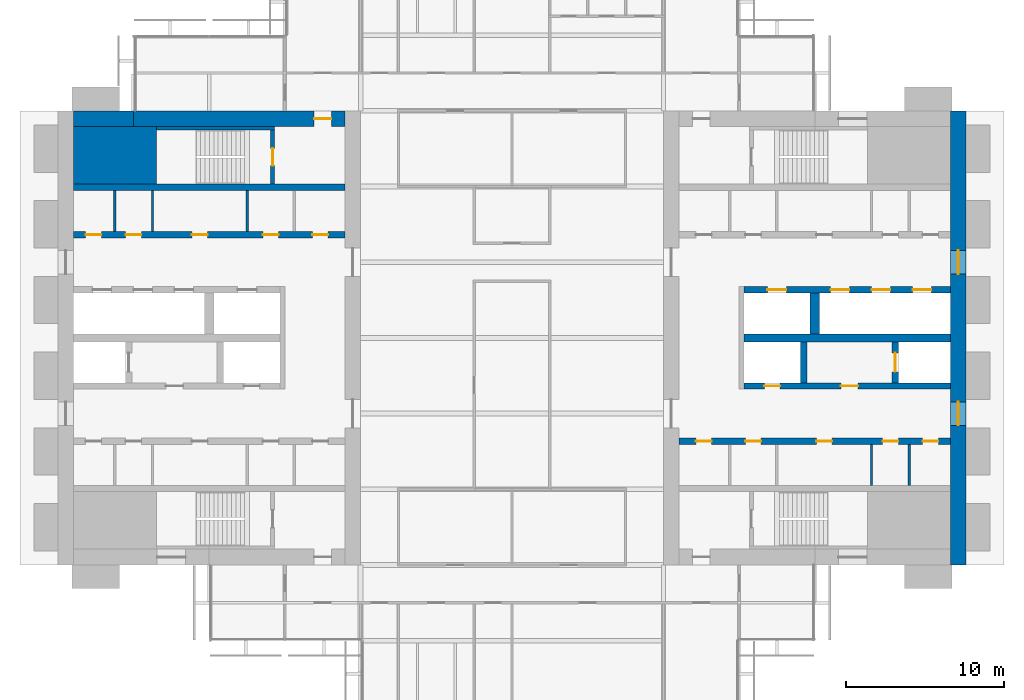
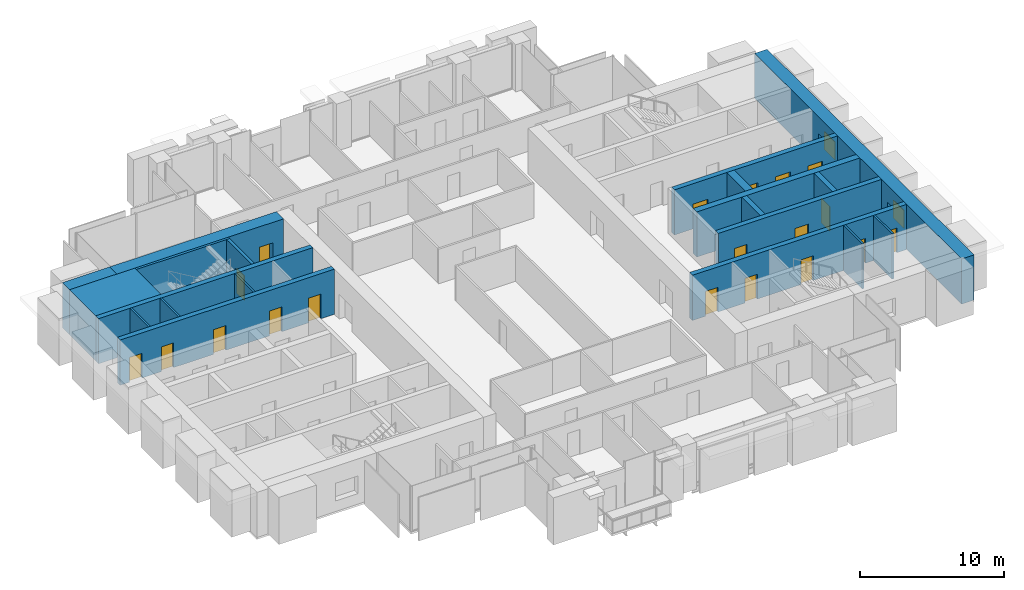
# One storey, part 11 of 15: 20 walls, 19 doors, 2 windows, 21 openings.
"""IFC4 building model written with IfcOpenShell, lengths in metres."""

from ifc_helpers import new_model, si_unit, direction, frame, frame_2d, origin, place, context, subcontext, project, spatial, rectangle, extrude, material, layer, layer_set, type_object, element, fill, save


model = new_model("IFC4")

# Units and contexts
model_context = context("Model", 3, precision=1e-05, world=origin(), true_north=direction((0.0, 1.0)))
body_context = subcontext(model_context, "Body", "Model", "MODEL_VIEW")
ifc_project = project(units=[si_unit("LENGTHUNIT", "METRE"), si_unit("AREAUNIT", "SQUARE_METRE"), si_unit("VOLUMEUNIT", "CUBIC_METRE"), si_unit("PLANEANGLEUNIT", "RADIAN"), si_unit("MASSUNIT", "GRAM", prefix="KILO")], contexts=[model_context])

# Site, building, storey
site_placement = place(None, origin())
site = spatial("IfcSite", under=ifc_project, at=site_placement, CompositionType="ELEMENT")
building_placement = place(site_placement, origin())
building = spatial("IfcBuilding", under=site, at=building_placement, Name="Baori Bourse Tower", CompositionType="ELEMENT")
storey_placement = place(building_placement, frame((0.0, 0.0, 152.10009765625)))
storey = spatial("IfcBuildingStorey", under=building, at=storey_placement, Name="L33", CompositionType="ELEMENT", Elevation=152.10009765625)

# Walls
ifc_material_1 = material(Name="Concrete f'c 60 MPa", Category="concrete")
wall_type_1 = type_object("IfcWallType", Name="Core corner block f'c 60", PredefinedType="SHEAR", material=ifc_material_1)
wall_1_placement = place(storey_placement, frame((1.0, 35.574951171875, 0.0), z_axis=(0.0, 0.0, 1.0), x_axis=(1.0, 0.0, 0.0)))
element("IfcWall", 1, at=wall_1_placement, inside=storey, type_object=wall_type_1, Name="Core wall W28", PredefinedType="SHEAR", context=body_context, shape_type="SweptSolid", body=[
    extrude(rectangle(XDim=5.25, YDim=3.64990234375, at=frame_2d((2.625, 0.0))), origin(), (0.0, 0.0, 1.0), 3.83984375),
])
ifc_material_2 = material(Name="Blockwork partition", Category="masonry")
ifc_layer_1 = layer(ifc_material_2, 0.14990234375)
ifc_layer_set_1 = layer_set([ifc_layer_1], Name="Core partition 150")
wall_type_2 = type_object("IfcWallType", Name="Core partition 150", PredefinedType="PARTITIONING", material=ifc_layer_set_1)
for number, where, z_axis, x_axis, name in (
    (2, (3.60009765625, 30.75, 0.0), (0.0, 0.0, 1.0), (0.0, 1.0, 0.0), "Partition wall W23"),
    (3, (6.0, 30.75, 0.0), (0.0, 0.0, 1.0), (0.0, 1.0, 0.0), "Partition wall W24"),
    (4, (12.0, 30.75, 0.0), (0.0, 0.0, 1.0), (0.0, 1.0, 0.0), "Partition wall W25"),
    (5, (54.0, 14.64990234375, 0.0), (0.0, 0.0, 1.0), (0.0, 1.0, 0.0), "Partition wall E10"),
    (6, (51.60009765625, 14.64990234375, 0.0), (0.0, 0.0, 1.0), (0.0, 1.0, 0.0), "Partition wall E11"),
):
    element("IfcWall", number, at=place(storey_placement, frame(where, z_axis=z_axis, x_axis=x_axis)), inside=storey, type_object=wall_type_2, Name=name, PredefinedType="PARTITIONING", context=body_context, shape_type="SweptSolid", body=[
        extrude(rectangle(XDim=2.60009765625, YDim=0.14990234375, at=frame_2d((1.300048828125, 0.0))), origin(), (0.0, 0.0, 1.0), 3.83984375),
    ])
ifc_material_3 = material(Name="Concrete f'c 60 MPa", Category="concrete")
ifc_layer_2 = layer(ifc_material_3, 1.0)
ifc_layer_set_2 = layer_set([ifc_layer_2], Name="Core wall 1000 f'c 60")
wall_type_3 = type_object("IfcWallType", Name="Core wall 1000 f'c 60", PredefinedType="SHEAR", material=ifc_layer_set_2)
wall_2_placement = place(storey_placement, frame((1.0, 37.89990234375, 0.0), z_axis=(0.0, 0.0, 1.0), x_axis=(1.0, 0.0, 0.0)))
element("IfcWall", 7, at=wall_2_placement, inside=storey, type_object=wall_type_3, Name="Core wall W31", PredefinedType="SHEAR", context=body_context, shape_type="SweptSolid", body=[
    extrude(rectangle(XDim=3.800048828125, YDim=1.0, at=frame_2d((1.89990234375, 0.0))), origin(), (0.0, 0.0, 1.0), 3.83984375),
])

# Wall, opening, door
wall_3_placement = place(storey_placement, frame((4.800048828125, 37.89990234375, 0.0), z_axis=(0.0, 0.0, 1.0), x_axis=(1.0, 0.0, 0.0)))
wall_3 = element("IfcWall", 8, at=wall_3_placement, inside=storey, type_object=wall_type_3, Name="Core wall W32", PredefinedType="SHEAR", context=body_context, shape_type="SweptSolid", body=[
    extrude(rectangle(XDim=13.39990234375, YDim=1.0, at=frame_2d((6.699951171875, 0.0))), origin(), (0.0, 0.0, 1.0), 3.83984375),
])
opening_1_placement = place(wall_3_placement, frame((11.449951171875, 0.0, 0.0)))
opening_1 = element("IfcOpeningElement", 9, at=opening_1_placement, cuts=wall_3, Name="Opening L33-D104", PredefinedType="OPENING", context=body_context, shape_type="SweptSolid", body=[
    extrude(rectangle(XDim=1.10009765625, YDim=2.10009765625, at=frame_2d((0.550048828125, 1.050048828125))), frame((0.0, 0.510009765625, 0.0), z_axis=(0.0, -1.0, 0.0), x_axis=(1.0, 0.0, 0.0)), (0.0, 0.0, 1.0), 1.02001953125),
])
ifc_material_4 = material(Name="Painted steel door", Category="steel")
door_type_1 = type_object("IfcDoorType", Name="Stair door 1100", OperationType="SINGLE_SWING_LEFT", PredefinedType="DOOR", material=ifc_material_4)
door_1_placement = place(opening_1_placement, origin())
door_1 = element("IfcDoor", 10, at=door_1_placement, inside=storey, type_object=door_type_1, Name="Stair vestibule door B W L33", OperationType="SINGLE_SWING_LEFT", OverallHeight=2.10009765625, OverallWidth=1.10009765625, PredefinedType="DOOR", context=body_context, shape_type="SweptSolid", body=[
    extrude(rectangle(XDim=1.10009765625, YDim=2.10009765625, at=frame_2d((0.550048828125, 1.050048828125))), frame((0.0, 0.02490234375, 0.0), z_axis=(0.0, -1.0, 0.0), x_axis=(1.0, 0.0, 0.0)), (0.0, 0.0, 1.0), 0.050048828125),
])
fill(opening_1, door_1)

# Wall, openings, windows
wall_4_placement = place(storey_placement, frame((57.10009765625, 38.39990234375, 0.0), z_axis=(0.0, 0.0, 1.0), x_axis=(0.0, -1.0, 0.0)))
wall_4 = element("IfcWall", 11, at=wall_4_placement, inside=storey, type_object=wall_type_3, Name="Core wall E01", PredefinedType="SHEAR", context=body_context, shape_type="SweptSolid", body=[
    extrude(rectangle(XDim=28.7998046875, YDim=1.0, at=frame_2d((14.39990234375, 0.0))), origin(), (0.0, 0.0, 1.0), 3.83984375),
])
opening_2_placement = place(wall_4_placement, frame((18.449951171875, 0.0, 0.89990234375)))
opening_2 = element("IfcOpeningElement", 12, at=opening_2_placement, cuts=wall_4, Name="Opening L33-KW201", PredefinedType="OPENING", context=body_context, shape_type="SweptSolid", body=[
    extrude(rectangle(XDim=1.5, YDim=1.5, at=frame_2d((0.75, 0.75))), frame((0.0, 0.510009765625, 0.0), z_axis=(0.0, -1.0, 0.0), x_axis=(1.0, 0.0, 0.0)), (0.0, 0.0, 1.0), 1.02001953125),
])
opening_3_placement = place(wall_4_placement, frame((8.85009765625, 0.0, 0.89990234375)))
opening_3 = element("IfcOpeningElement", 13, at=opening_3_placement, cuts=wall_4, Name="Opening L33-KW202", PredefinedType="OPENING", context=body_context, shape_type="SweptSolid", body=[
    extrude(rectangle(XDim=1.5, YDim=1.5, at=frame_2d((0.75, 0.75))), frame((0.0, 0.510009765625, 0.0), z_axis=(0.0, -1.0, 0.0), x_axis=(1.0, 0.0, 0.0)), (0.0, 0.0, 1.0), 1.02001953125),
])
ifc_material_5 = material(Name="Pale anodised aluminium", Category="aluminium")
window_type = type_object("IfcWindowType", Name="Lobby window 1500 x 1500", PartitioningType="SINGLE_PANEL", PredefinedType="WINDOW", material=ifc_material_5)
window_1_placement = place(opening_2_placement, origin())
window_1 = element("IfcWindow", 14, at=window_1_placement, inside=storey, type_object=window_type, Name="Outer wall window E L33 1", OverallHeight=1.5, OverallWidth=1.5, PartitioningType="SINGLE_PANEL", PredefinedType="WINDOW", context=body_context, shape_type="SweptSolid", body=[
    extrude(rectangle(XDim=1.5, YDim=1.5, at=frame_2d((0.75, 0.75))), frame((0.0, 0.030029296875, 0.0), z_axis=(0.0, -1.0, 0.0), x_axis=(1.0, 0.0, 0.0)), (0.0, 0.0, 1.0), 0.06005859375),
])
fill(opening_2, window_1)
window_2_placement = place(opening_3_placement, origin())
window_2 = element("IfcWindow", 15, at=window_2_placement, inside=storey, type_object=window_type, Name="Outer wall window E L33 2", OverallHeight=1.5, OverallWidth=1.5, PartitioningType="SINGLE_PANEL", PredefinedType="WINDOW", context=body_context, shape_type="SweptSolid", body=[
    extrude(rectangle(XDim=1.5, YDim=1.5, at=frame_2d((0.75, 0.75))), frame((0.0, 0.030029296875, 0.0), z_axis=(0.0, -1.0, 0.0), x_axis=(1.0, 0.0, 0.0)), (0.0, 0.0, 1.0), 0.06005859375),
])
fill(opening_3, window_2)

# Wall
ifc_material_6 = material(Name="Concrete f'c 60 MPa", Category="concrete")
ifc_layer_3 = layer(ifc_material_6, 0.199951171875)
ifc_layer_set_3 = layer_set([ifc_layer_3], Name="Shaft wall 200 f'c 60")
wall_type_4 = type_object("IfcWallType", Name="Shaft wall 200 f'c 60", PredefinedType="SHEAR", material=ifc_layer_set_3)
wall_5_placement = place(storey_placement, frame((6.25, 37.300048828125, 0.0), z_axis=(0.0, 0.0, 1.0), x_axis=(1.0, 0.0, 0.0)))
element("IfcWall", 16, at=wall_5_placement, inside=storey, type_object=wall_type_4, Name="Core wall W30", PredefinedType="SHEAR", context=body_context, shape_type="SweptSolid", body=[
    extrude(rectangle(XDim=7.5, YDim=0.199951171875, at=frame_2d((3.75, 0.0))), origin(), (0.0, 0.0, 1.0), 3.83984375),
])

# Wall, opening, door
ifc_material_7 = material(Name="Concrete f'c 60 MPa", Category="concrete")
ifc_layer_4 = layer(ifc_material_7, 0.25)
ifc_layer_set_4 = layer_set([ifc_layer_4], Name="Shaft wall 250 f'c 60")
wall_type_5 = type_object("IfcWallType", Name="Shaft wall 250 f'c 60", PredefinedType="SHEAR", material=ifc_layer_set_4)
wall_6_placement = place(storey_placement, frame((13.625, 33.75, 0.0), z_axis=(0.0, 0.0, 1.0), x_axis=(0.0, 1.0, 0.0)))
wall_6 = element("IfcWall", 17, at=wall_6_placement, inside=storey, type_object=wall_type_5, Name="Core wall W29", PredefinedType="SHEAR", context=body_context, shape_type="SweptSolid", body=[
    extrude(rectangle(XDim=3.449951171875, YDim=0.25, at=frame_2d((1.72509765625, 0.0))), origin(), (0.0, 0.0, 1.0), 3.83984375),
])
opening_4_placement = place(wall_6_placement, frame((1.175048828125, 0.0, 0.0)))
opening_4 = element("IfcOpeningElement", 18, at=opening_4_placement, cuts=wall_6, Name="Opening L33-D103", PredefinedType="OPENING", context=body_context, shape_type="SweptSolid", body=[
    extrude(rectangle(XDim=1.10009765625, YDim=2.10009765625, at=frame_2d((0.550048828125, 1.050048828125))), frame((0.0, 0.135009765625, 0.0), z_axis=(0.0, -1.0, 0.0), x_axis=(1.0, 0.0, 0.0)), (0.0, 0.0, 1.0), 0.27001953125),
])
door_2_placement = place(opening_4_placement, origin())
door_2 = element("IfcDoor", 19, at=door_2_placement, inside=storey, type_object=door_type_1, Name="Stair door B W L33", OperationType="SINGLE_SWING_LEFT", OverallHeight=2.10009765625, OverallWidth=1.10009765625, PredefinedType="DOOR", context=body_context, shape_type="SweptSolid", body=[
    extrude(rectangle(XDim=1.10009765625, YDim=2.10009765625, at=frame_2d((0.550048828125, 1.050048828125))), frame((0.0, 0.02490234375, 0.0), z_axis=(0.0, -1.0, 0.0), x_axis=(1.0, 0.0, 0.0)), (0.0, 0.0, 1.0), 0.050048828125),
])
fill(opening_4, door_2)

# Wall, openings, doors
ifc_material_8 = material(Name="Concrete f'c 60 MPa", Category="concrete")
ifc_layer_5 = layer(ifc_material_8, 0.39990234375)
ifc_layer_set_5 = layer_set([ifc_layer_5], Name="Shaft wall 400 f'c 60")
wall_type_6 = type_object("IfcWallType", Name="Shaft wall 400 f'c 60", PredefinedType="SHEAR", material=ifc_layer_set_5)
wall_7_placement = place(storey_placement, frame((1.0, 30.550048828125, 0.0), z_axis=(0.0, 0.0, 1.0), x_axis=(1.0, 0.0, 0.0)))
wall_7 = element("IfcWall", 20, at=wall_7_placement, inside=storey, type_object=wall_type_6, Name="Core wall W22", PredefinedType="SHEAR", context=body_context, shape_type="SweptSolid", body=[
    extrude(rectangle(XDim=17.199951171875, YDim=0.39990234375, at=frame_2d((8.60009765625, 0.0))), origin(), (0.0, 0.0, 1.0), 3.83984375),
])
opening_5_placement = place(wall_7_placement, frame((0.762451171875, 0.0, 0.0)))
opening_5 = element("IfcOpeningElement", 21, at=opening_5_placement, cuts=wall_7, Name="Opening L33-D109", PredefinedType="OPENING", context=body_context, shape_type="SweptSolid", body=[
    extrude(rectangle(XDim=1.0, YDim=2.10009765625, at=frame_2d((0.5, 1.050048828125))), frame((0.0, 0.2099609375, 0.0), z_axis=(0.0, -1.0, 0.0), x_axis=(1.0, 0.0, 0.0)), (0.0, 0.0, 1.0), 0.419921875),
])
opening_6_placement = place(wall_7_placement, frame((3.300048828125, 0.0, 0.0)))
opening_6 = element("IfcOpeningElement", 22, at=opening_6_placement, cuts=wall_7, Name="Opening L33-D110", PredefinedType="OPENING", context=body_context, shape_type="SweptSolid", body=[
    extrude(rectangle(XDim=1.0, YDim=2.10009765625, at=frame_2d((0.5, 1.050048828125))), frame((0.0, 0.2099609375, 0.0), z_axis=(0.0, -1.0, 0.0), x_axis=(1.0, 0.0, 0.0)), (0.0, 0.0, 1.0), 0.419921875),
])
opening_7_placement = place(wall_7_placement, frame((7.5, 0.0, 0.0)))
opening_7 = element("IfcOpeningElement", 23, at=opening_7_placement, cuts=wall_7, Name="Opening L33-D111", PredefinedType="OPENING", context=body_context, shape_type="SweptSolid", body=[
    extrude(rectangle(XDim=1.0, YDim=2.10009765625, at=frame_2d((0.5, 1.050048828125))), frame((0.0, 0.2099609375, 0.0), z_axis=(0.0, -1.0, 0.0), x_axis=(1.0, 0.0, 0.0)), (0.0, 0.0, 1.0), 0.419921875),
])
opening_8_placement = place(wall_7_placement, frame((12.0, 0.0, 0.0)))
opening_8 = element("IfcOpeningElement", 24, at=opening_8_placement, cuts=wall_7, Name="Opening L33-D112", PredefinedType="OPENING", context=body_context, shape_type="SweptSolid", body=[
    extrude(rectangle(XDim=1.0, YDim=2.10009765625, at=frame_2d((0.5, 1.050048828125))), frame((0.0, 0.2099609375, 0.0), z_axis=(0.0, -1.0, 0.0), x_axis=(1.0, 0.0, 0.0)), (0.0, 0.0, 1.0), 0.419921875),
])
opening_9_placement = place(wall_7_placement, frame((15.137451171875, 0.0, 0.0)))
opening_9 = element("IfcOpeningElement", 25, at=opening_9_placement, cuts=wall_7, Name="Opening L33-D113", PredefinedType="OPENING", context=body_context, shape_type="SweptSolid", body=[
    extrude(rectangle(XDim=1.0, YDim=2.10009765625, at=frame_2d((0.5, 1.050048828125))), frame((0.0, 0.2099609375, 0.0), z_axis=(0.0, -1.0, 0.0), x_axis=(1.0, 0.0, 0.0)), (0.0, 0.0, 1.0), 0.419921875),
])
ifc_material_9 = material(Name="Painted steel door", Category="steel")
door_type_2 = type_object("IfcDoorType", Name="Core door 1000", OperationType="SINGLE_SWING_LEFT", PredefinedType="DOOR", material=ifc_material_9)
door_3_placement = place(opening_5_placement, origin())
door_3 = element("IfcDoor", 26, at=door_3_placement, inside=storey, type_object=door_type_2, Name="Store Room door W L33", OperationType="SINGLE_SWING_LEFT", OverallHeight=2.10009765625, OverallWidth=1.0, PredefinedType="DOOR", context=body_context, shape_type="SweptSolid", body=[
    extrude(rectangle(XDim=1.0, YDim=2.10009765625, at=frame_2d((0.5, 1.050048828125))), frame((0.0, 0.02490234375, 0.0), z_axis=(0.0, -1.0, 0.0), x_axis=(1.0, 0.0, 0.0)), (0.0, 0.0, 1.0), 0.050048828125),
])
fill(opening_5, door_3)
door_4_placement = place(opening_6_placement, origin())
door_4 = element("IfcDoor", 27, at=door_4_placement, inside=storey, type_object=door_type_2, Name="Pantry door W L33", OperationType="SINGLE_SWING_LEFT", OverallHeight=2.10009765625, OverallWidth=1.0, PredefinedType="DOOR", context=body_context, shape_type="SweptSolid", body=[
    extrude(rectangle(XDim=1.0, YDim=2.10009765625, at=frame_2d((0.5, 1.050048828125))), frame((0.0, 0.02490234375, 0.0), z_axis=(0.0, -1.0, 0.0), x_axis=(1.0, 0.0, 0.0)), (0.0, 0.0, 1.0), 0.050048828125),
])
fill(opening_6, door_4)
door_5_placement = place(opening_7_placement, origin())
door_5 = element("IfcDoor", 28, at=door_5_placement, inside=storey, type_object=door_type_2, Name="Men'S Wc door W L33", OperationType="SINGLE_SWING_LEFT", OverallHeight=2.10009765625, OverallWidth=1.0, PredefinedType="DOOR", context=body_context, shape_type="SweptSolid", body=[
    extrude(rectangle(XDim=1.0, YDim=2.10009765625, at=frame_2d((0.5, 1.050048828125))), frame((0.0, 0.02490234375, 0.0), z_axis=(0.0, -1.0, 0.0), x_axis=(1.0, 0.0, 0.0)), (0.0, 0.0, 1.0), 0.050048828125),
])
fill(opening_7, door_5)
door_6_placement = place(opening_8_placement, origin())
door_6 = element("IfcDoor", 29, at=door_6_placement, inside=storey, type_object=door_type_2, Name="Women'S Wc door W L33", OperationType="SINGLE_SWING_LEFT", OverallHeight=2.10009765625, OverallWidth=1.0, PredefinedType="DOOR", context=body_context, shape_type="SweptSolid", body=[
    extrude(rectangle(XDim=1.0, YDim=2.10009765625, at=frame_2d((0.5, 1.050048828125))), frame((0.0, 0.02490234375, 0.0), z_axis=(0.0, -1.0, 0.0), x_axis=(1.0, 0.0, 0.0)), (0.0, 0.0, 1.0), 0.050048828125),
])
fill(opening_8, door_6)
door_7_placement = place(opening_9_placement, origin())
door_7 = element("IfcDoor", 30, at=door_7_placement, inside=storey, type_object=door_type_2, Name="Accessible Wc door W L33", OperationType="SINGLE_SWING_LEFT", OverallHeight=2.10009765625, OverallWidth=1.0, PredefinedType="DOOR", context=body_context, shape_type="SweptSolid", body=[
    extrude(rectangle(XDim=1.0, YDim=2.10009765625, at=frame_2d((0.5, 1.050048828125))), frame((0.0, 0.02490234375, 0.0), z_axis=(0.0, -1.0, 0.0), x_axis=(1.0, 0.0, 0.0)), (0.0, 0.0, 1.0), 0.050048828125),
])
fill(opening_9, door_7)

# Wall
wall_8_placement = place(storey_placement, frame((1.0, 33.550048828125, 0.0), z_axis=(0.0, 0.0, 1.0), x_axis=(1.0, 0.0, 0.0)))
element("IfcWall", 31, at=wall_8_placement, inside=storey, type_object=wall_type_6, Name="Core wall W27", PredefinedType="SHEAR", context=body_context, shape_type="SweptSolid", body=[
    extrude(rectangle(XDim=17.199951171875, YDim=0.39990234375, at=frame_2d((8.60009765625, 0.0))), origin(), (0.0, 0.0, 1.0), 3.83984375),
])

# Wall, openings, doors
wall_9_placement = place(storey_placement, frame((39.39990234375, 17.449951171875, 0.0), z_axis=(0.0, 0.0, 1.0), x_axis=(1.0, 0.0, 0.0)))
wall_9 = element("IfcWall", 32, at=wall_9_placement, inside=storey, type_object=wall_type_6, Name="Core wall E14", PredefinedType="SHEAR", context=body_context, shape_type="SweptSolid", body=[
    extrude(rectangle(XDim=17.2001953125, YDim=0.39990234375, at=frame_2d((8.60009765625, 0.0))), origin(), (0.0, 0.0, 1.0), 3.83984375),
])
opening_10_placement = place(wall_9_placement, frame((15.4375, 0.0, 0.0)))
opening_10 = element("IfcOpeningElement", 33, at=opening_10_placement, cuts=wall_9, Name="Opening L33-D214", PredefinedType="OPENING", context=body_context, shape_type="SweptSolid", body=[
    extrude(rectangle(XDim=1.0, YDim=2.10009765625, at=frame_2d((0.5, 1.050048828125))), frame((0.0, 0.2099609375, 0.0), z_axis=(0.0, -1.0, 0.0), x_axis=(1.0, 0.0, 0.0)), (0.0, 0.0, 1.0), 0.419921875),
])
opening_11_placement = place(wall_9_placement, frame((12.89990234375, 0.0, 0.0)))
opening_11 = element("IfcOpeningElement", 34, at=opening_11_placement, cuts=wall_9, Name="Opening L33-D215", PredefinedType="OPENING", context=body_context, shape_type="SweptSolid", body=[
    extrude(rectangle(XDim=1.0, YDim=2.10009765625, at=frame_2d((0.5, 1.050048828125))), frame((0.0, 0.2099609375, 0.0), z_axis=(0.0, -1.0, 0.0), x_axis=(1.0, 0.0, 0.0)), (0.0, 0.0, 1.0), 0.419921875),
])
opening_12_placement = place(wall_9_placement, frame((8.699951171875, 0.0, 0.0)))
opening_12 = element("IfcOpeningElement", 35, at=opening_12_placement, cuts=wall_9, Name="Opening L33-D216", PredefinedType="OPENING", context=body_context, shape_type="SweptSolid", body=[
    extrude(rectangle(XDim=1.0, YDim=2.10009765625, at=frame_2d((0.5, 1.050048828125))), frame((0.0, 0.2099609375, 0.0), z_axis=(0.0, -1.0, 0.0), x_axis=(1.0, 0.0, 0.0)), (0.0, 0.0, 1.0), 0.419921875),
])
opening_13_placement = place(wall_9_placement, frame((4.199951171875, 0.0, 0.0)))
opening_13 = element("IfcOpeningElement", 36, at=opening_13_placement, cuts=wall_9, Name="Opening L33-D217", PredefinedType="OPENING", context=body_context, shape_type="SweptSolid", body=[
    extrude(rectangle(XDim=1.0, YDim=2.10009765625, at=frame_2d((0.5, 1.050048828125))), frame((0.0, 0.2099609375, 0.0), z_axis=(0.0, -1.0, 0.0), x_axis=(1.0, 0.0, 0.0)), (0.0, 0.0, 1.0), 0.419921875),
])
opening_14_placement = place(wall_9_placement, frame((1.0625, 0.0, 0.0)))
opening_14 = element("IfcOpeningElement", 37, at=opening_14_placement, cuts=wall_9, Name="Opening L33-D218", PredefinedType="OPENING", context=body_context, shape_type="SweptSolid", body=[
    extrude(rectangle(XDim=1.0, YDim=2.10009765625, at=frame_2d((0.5, 1.050048828125))), frame((0.0, 0.2099609375, 0.0), z_axis=(0.0, -1.0, 0.0), x_axis=(1.0, 0.0, 0.0)), (0.0, 0.0, 1.0), 0.419921875),
])
door_8_placement = place(opening_10_placement, origin())
door_8 = element("IfcDoor", 38, at=door_8_placement, inside=storey, type_object=door_type_2, Name="Store Room door E L33", OperationType="SINGLE_SWING_LEFT", OverallHeight=2.10009765625, OverallWidth=1.0, PredefinedType="DOOR", context=body_context, shape_type="SweptSolid", body=[
    extrude(rectangle(XDim=1.0, YDim=2.10009765625, at=frame_2d((0.5, 1.050048828125))), frame((0.0, 0.02490234375, 0.0), z_axis=(0.0, -1.0, 0.0), x_axis=(1.0, 0.0, 0.0)), (0.0, 0.0, 1.0), 0.050048828125),
])
fill(opening_10, door_8)
door_9_placement = place(opening_11_placement, origin())
door_9 = element("IfcDoor", 39, at=door_9_placement, inside=storey, type_object=door_type_2, Name="Pantry door E L33", OperationType="SINGLE_SWING_LEFT", OverallHeight=2.10009765625, OverallWidth=1.0, PredefinedType="DOOR", context=body_context, shape_type="SweptSolid", body=[
    extrude(rectangle(XDim=1.0, YDim=2.10009765625, at=frame_2d((0.5, 1.050048828125))), frame((0.0, 0.02490234375, 0.0), z_axis=(0.0, -1.0, 0.0), x_axis=(1.0, 0.0, 0.0)), (0.0, 0.0, 1.0), 0.050048828125),
])
fill(opening_11, door_9)
door_10_placement = place(opening_12_placement, origin())
door_10 = element("IfcDoor", 40, at=door_10_placement, inside=storey, type_object=door_type_2, Name="Men'S Wc door E L33", OperationType="SINGLE_SWING_LEFT", OverallHeight=2.10009765625, OverallWidth=1.0, PredefinedType="DOOR", context=body_context, shape_type="SweptSolid", body=[
    extrude(rectangle(XDim=1.0, YDim=2.10009765625, at=frame_2d((0.5, 1.050048828125))), frame((0.0, 0.02490234375, 0.0), z_axis=(0.0, -1.0, 0.0), x_axis=(1.0, 0.0, 0.0)), (0.0, 0.0, 1.0), 0.050048828125),
])
fill(opening_12, door_10)
door_11_placement = place(opening_13_placement, origin())
door_11 = element("IfcDoor", 41, at=door_11_placement, inside=storey, type_object=door_type_2, Name="Women'S Wc door E L33", OperationType="SINGLE_SWING_LEFT", OverallHeight=2.10009765625, OverallWidth=1.0, PredefinedType="DOOR", context=body_context, shape_type="SweptSolid", body=[
    extrude(rectangle(XDim=1.0, YDim=2.10009765625, at=frame_2d((0.5, 1.050048828125))), frame((0.0, 0.02490234375, 0.0), z_axis=(0.0, -1.0, 0.0), x_axis=(1.0, 0.0, 0.0)), (0.0, 0.0, 1.0), 0.050048828125),
])
fill(opening_13, door_11)
door_12_placement = place(opening_14_placement, origin())
door_12 = element("IfcDoor", 42, at=door_12_placement, inside=storey, type_object=door_type_2, Name="Accessible Wc door E L33", OperationType="SINGLE_SWING_LEFT", OverallHeight=2.10009765625, OverallWidth=1.0, PredefinedType="DOOR", context=body_context, shape_type="SweptSolid", body=[
    extrude(rectangle(XDim=1.0, YDim=2.10009765625, at=frame_2d((0.5, 1.050048828125))), frame((0.0, 0.02490234375, 0.0), z_axis=(0.0, -1.0, 0.0), x_axis=(1.0, 0.0, 0.0)), (0.0, 0.0, 1.0), 0.050048828125),
])
fill(opening_14, door_12)

wall_10_placement = place(storey_placement, frame((43.5, 20.949951171875, 0.0), z_axis=(0.0, 0.0, 1.0), x_axis=(1.0, 0.0, 0.0)))
wall_10 = element("IfcWall", 43, at=wall_10_placement, inside=storey, type_object=wall_type_6, Name="Core wall E15", PredefinedType="SHEAR", context=body_context, shape_type="SweptSolid", body=[
    extrude(rectangle(XDim=13.10009765625, YDim=0.39990234375, at=frame_2d((6.550048828125, 0.0))), origin(), (0.0, 0.0, 1.0), 3.83984375),
])
opening_15_placement = place(wall_10_placement, frame((6.14990234375, 0.0, 0.0)))
opening_15 = element("IfcOpeningElement", 44, at=opening_15_placement, cuts=wall_10, Name="Opening L33-D205", PredefinedType="OPENING", context=body_context, shape_type="SweptSolid", body=[
    extrude(rectangle(XDim=1.10009765625, YDim=2.10009765625, at=frame_2d((0.550048828125, 1.050048828125))), frame((0.0, 0.2099609375, 0.0), z_axis=(0.0, -1.0, 0.0), x_axis=(1.0, 0.0, 0.0)), (0.0, 0.0, 1.0), 0.419921875),
])
opening_16_placement = place(wall_10_placement, frame((1.300048828125, 0.0, 0.0)))
opening_16 = element("IfcOpeningElement", 45, at=opening_16_placement, cuts=wall_10, Name="Opening L33-D206", PredefinedType="OPENING", context=body_context, shape_type="SweptSolid", body=[
    extrude(rectangle(XDim=1.0, YDim=2.10009765625, at=frame_2d((0.5, 1.050048828125))), frame((0.0, 0.2099609375, 0.0), z_axis=(0.0, -1.0, 0.0), x_axis=(1.0, 0.0, 0.0)), (0.0, 0.0, 1.0), 0.419921875),
])
ifc_material_10 = material(Name="Painted steel door", Category="steel")
door_type_3 = type_object("IfcDoorType", Name="Lobby door 1100", OperationType="SINGLE_SWING_LEFT", PredefinedType="DOOR", material=ifc_material_10)
door_13_placement = place(opening_15_placement, origin())
door_13 = element("IfcDoor", 46, at=door_13_placement, inside=storey, type_object=door_type_3, Name="Firefighting lobby door E L33", OperationType="SINGLE_SWING_LEFT", OverallHeight=2.10009765625, OverallWidth=1.10009765625, PredefinedType="DOOR", context=body_context, shape_type="SweptSolid", body=[
    extrude(rectangle(XDim=1.10009765625, YDim=2.10009765625, at=frame_2d((0.550048828125, 1.050048828125))), frame((0.0, 0.02490234375, 0.0), z_axis=(0.0, -1.0, 0.0), x_axis=(1.0, 0.0, 0.0)), (0.0, 0.0, 1.0), 0.050048828125),
])
fill(opening_15, door_13)
ifc_material_11 = material(Name="Painted steel door", Category="steel")
door_type_4 = type_object("IfcDoorType", Name="Shaft door 1000", OperationType="SINGLE_SWING_LEFT", PredefinedType="DOOR", material=ifc_material_11)
door_14_placement = place(opening_16_placement, origin())
door_14 = element("IfcDoor", 47, at=door_14_placement, inside=storey, type_object=door_type_4, Name="Riser room door E L33", OperationType="SINGLE_SWING_LEFT", OverallHeight=2.10009765625, OverallWidth=1.0, PredefinedType="DOOR", context=body_context, shape_type="SweptSolid", body=[
    extrude(rectangle(XDim=1.0, YDim=2.10009765625, at=frame_2d((0.5, 1.050048828125))), frame((0.0, 0.02490234375, 0.0), z_axis=(0.0, -1.0, 0.0), x_axis=(1.0, 0.0, 0.0)), (0.0, 0.0, 1.0), 0.050048828125),
])
fill(opening_16, door_14)

# Wall, opening, door
wall_11_placement = place(storey_placement, frame((53.10009765625, 21.14990234375, 0.0), z_axis=(0.0, 0.0, 1.0), x_axis=(0.0, 1.0, 0.0)))
wall_11 = element("IfcWall", 48, at=wall_11_placement, inside=storey, type_object=wall_type_6, Name="Core wall E17", PredefinedType="SHEAR", context=body_context, shape_type="SweptSolid", body=[
    extrude(rectangle(XDim=2.60009765625, YDim=0.39990234375, at=frame_2d((1.300048828125, 0.0))), origin(), (0.0, 0.0, 1.0), 3.83984375),
])
opening_17_placement = place(wall_11_placement, frame((0.699951171875, 0.0, 0.0)))
opening_17 = element("IfcOpeningElement", 49, at=opening_17_placement, cuts=wall_11, Name="Opening L33-D223", PredefinedType="OPENING", context=body_context, shape_type="SweptSolid", body=[
    extrude(rectangle(XDim=1.199951171875, YDim=2.10009765625, at=frame_2d((0.60009765625, 1.050048828125))), frame((0.0, 0.2099609375, 0.0), z_axis=(0.0, -1.0, 0.0), x_axis=(1.0, 0.0, 0.0)), (0.0, 0.0, 1.0), 0.419921875),
])
ifc_material_12 = material(Name="Stainless steel door", Category="steel")
door_type_5 = type_object("IfcDoorType", Name="Lift landing door", OperationType="DOUBLE_DOOR_SLIDING", PredefinedType="DOOR", material=ifc_material_12)
door_15_placement = place(opening_17_placement, origin())
door_15 = element("IfcDoor", 50, at=door_15_placement, inside=storey, type_object=door_type_5, Name="Lift landing door FF2 E L33", OperationType="DOUBLE_DOOR_SLIDING", OverallHeight=2.10009765625, OverallWidth=1.199951171875, PredefinedType="DOOR", context=body_context, shape_type="SweptSolid", body=[
    extrude(rectangle(XDim=1.199951171875, YDim=2.10009765625, at=frame_2d((0.60009765625, 1.050048828125))), frame((0.0, 0.02490234375, 0.0), z_axis=(0.0, -1.0, 0.0), x_axis=(1.0, 0.0, 0.0)), (0.0, 0.0, 1.0), 0.050048828125),
])
fill(opening_17, door_15)

# Wall
wall_12_placement = place(storey_placement, frame((47.300048828125, 21.14990234375, 0.0), z_axis=(0.0, 0.0, 1.0), x_axis=(0.0, 1.0, 0.0)))
element("IfcWall", 51, at=wall_12_placement, inside=storey, type_object=wall_type_6, Name="Core wall E18", PredefinedType="SHEAR", context=body_context, shape_type="SweptSolid", body=[
    extrude(rectangle(XDim=2.60009765625, YDim=0.39990234375, at=frame_2d((1.300048828125, 0.0))), origin(), (0.0, 0.0, 1.0), 3.83984375),
])

# Wall, openings, doors
wall_13_placement = place(storey_placement, frame((43.5, 27.050048828125, 0.0), z_axis=(0.0, 0.0, 1.0), x_axis=(1.0, 0.0, 0.0)))
wall_13 = element("IfcWall", 52, at=wall_13_placement, inside=storey, type_object=wall_type_6, Name="Core wall E21", PredefinedType="SHEAR", context=body_context, shape_type="SweptSolid", body=[
    extrude(rectangle(XDim=13.10009765625, YDim=0.39990234375, at=frame_2d((6.550048828125, 0.0))), origin(), (0.0, 0.0, 1.0), 3.83984375),
])
opening_18_placement = place(wall_13_placement, frame((10.699951171875, 0.0, 0.0)))
opening_18 = element("IfcOpeningElement", 53, at=opening_18_placement, cuts=wall_13, Name="Opening L33-D219", PredefinedType="OPENING", context=body_context, shape_type="SweptSolid", body=[
    extrude(rectangle(XDim=1.199951171875, YDim=2.10009765625, at=frame_2d((0.60009765625, 1.050048828125))), frame((0.0, 0.2099609375, 0.0), z_axis=(0.0, -1.0, 0.0), x_axis=(1.0, 0.0, 0.0)), (0.0, 0.0, 1.0), 0.419921875),
])
opening_19_placement = place(wall_13_placement, frame((8.10009765625, 0.0, 0.0)))
opening_19 = element("IfcOpeningElement", 54, at=opening_19_placement, cuts=wall_13, Name="Opening L33-D220", PredefinedType="OPENING", context=body_context, shape_type="SweptSolid", body=[
    extrude(rectangle(XDim=1.199951171875, YDim=2.10009765625, at=frame_2d((0.60009765625, 1.050048828125))), frame((0.0, 0.2099609375, 0.0), z_axis=(0.0, -1.0, 0.0), x_axis=(1.0, 0.0, 0.0)), (0.0, 0.0, 1.0), 0.419921875),
])
opening_20_placement = place(wall_13_placement, frame((5.5, 0.0, 0.0)))
opening_20 = element("IfcOpeningElement", 55, at=opening_20_placement, cuts=wall_13, Name="Opening L33-D221", PredefinedType="OPENING", context=body_context, shape_type="SweptSolid", body=[
    extrude(rectangle(XDim=1.199951171875, YDim=2.10009765625, at=frame_2d((0.60009765625, 1.050048828125))), frame((0.0, 0.2099609375, 0.0), z_axis=(0.0, -1.0, 0.0), x_axis=(1.0, 0.0, 0.0)), (0.0, 0.0, 1.0), 0.419921875),
])
opening_21_placement = place(wall_13_placement, frame((1.5, 0.0, 0.0)))
opening_21 = element("IfcOpeningElement", 56, at=opening_21_placement, cuts=wall_13, Name="Opening L33-D222", PredefinedType="OPENING", context=body_context, shape_type="SweptSolid", body=[
    extrude(rectangle(XDim=1.199951171875, YDim=2.10009765625, at=frame_2d((0.60009765625, 1.050048828125))), frame((0.0, 0.2099609375, 0.0), z_axis=(0.0, -1.0, 0.0), x_axis=(1.0, 0.0, 0.0)), (0.0, 0.0, 1.0), 0.419921875),
])
door_16_placement = place(opening_18_placement, origin())
door_16 = element("IfcDoor", 57, at=door_16_placement, inside=storey, type_object=door_type_5, Name="Lift landing door SH1 E L33", OperationType="DOUBLE_DOOR_SLIDING", OverallHeight=2.10009765625, OverallWidth=1.199951171875, PredefinedType="DOOR", context=body_context, shape_type="SweptSolid", body=[
    extrude(rectangle(XDim=1.199951171875, YDim=2.10009765625, at=frame_2d((0.60009765625, 1.050048828125))), frame((0.0, 0.02490234375, 0.0), z_axis=(0.0, -1.0, 0.0), x_axis=(1.0, 0.0, 0.0)), (0.0, 0.0, 1.0), 0.050048828125),
])
fill(opening_18, door_16)
door_17_placement = place(opening_19_placement, origin())
door_17 = element("IfcDoor", 58, at=door_17_placement, inside=storey, type_object=door_type_5, Name="Lift landing door SH2 E L33", OperationType="DOUBLE_DOOR_SLIDING", OverallHeight=2.10009765625, OverallWidth=1.199951171875, PredefinedType="DOOR", context=body_context, shape_type="SweptSolid", body=[
    extrude(rectangle(XDim=1.199951171875, YDim=2.10009765625, at=frame_2d((0.60009765625, 1.050048828125))), frame((0.0, 0.02490234375, 0.0), z_axis=(0.0, -1.0, 0.0), x_axis=(1.0, 0.0, 0.0)), (0.0, 0.0, 1.0), 0.050048828125),
])
fill(opening_19, door_17)
door_18_placement = place(opening_20_placement, origin())
door_18 = element("IfcDoor", 59, at=door_18_placement, inside=storey, type_object=door_type_5, Name="Lift landing door SH3 E L33", OperationType="DOUBLE_DOOR_SLIDING", OverallHeight=2.10009765625, OverallWidth=1.199951171875, PredefinedType="DOOR", context=body_context, shape_type="SweptSolid", body=[
    extrude(rectangle(XDim=1.199951171875, YDim=2.10009765625, at=frame_2d((0.60009765625, 1.050048828125))), frame((0.0, 0.02490234375, 0.0), z_axis=(0.0, -1.0, 0.0), x_axis=(1.0, 0.0, 0.0)), (0.0, 0.0, 1.0), 0.050048828125),
])
fill(opening_20, door_18)
door_19_placement = place(opening_21_placement, origin())
door_19 = element("IfcDoor", 60, at=door_19_placement, inside=storey, type_object=door_type_5, Name="Lift landing door SV1 E L33", OperationType="DOUBLE_DOOR_SLIDING", OverallHeight=2.10009765625, OverallWidth=1.199951171875, PredefinedType="DOOR", context=body_context, shape_type="SweptSolid", body=[
    extrude(rectangle(XDim=1.199951171875, YDim=2.10009765625, at=frame_2d((0.60009765625, 1.050048828125))), frame((0.0, 0.02490234375, 0.0), z_axis=(0.0, -1.0, 0.0), x_axis=(1.0, 0.0, 0.0)), (0.0, 0.0, 1.0), 0.050048828125),
])
fill(opening_21, door_19)

# Walls
ifc_material_13 = material(Name="Concrete f'c 60 MPa", Category="concrete")
ifc_layer_6 = layer(ifc_material_13, 0.5)
ifc_layer_set_6 = layer_set([ifc_layer_6], Name="Shaft wall 500 f'c 60")
wall_type_7 = type_object("IfcWallType", Name="Shaft wall 500 f'c 60", PredefinedType="SHEAR", material=ifc_layer_set_6)
wall_14_placement = place(storey_placement, frame((43.5, 24.0, 0.0), z_axis=(0.0, 0.0, 1.0), x_axis=(1.0, 0.0, 0.0)))
element("IfcWall", 61, at=wall_14_placement, inside=storey, type_object=wall_type_7, Name="Core wall E19", PredefinedType="SHEAR", context=body_context, shape_type="SweptSolid", body=[
    extrude(rectangle(XDim=13.10009765625, YDim=0.5, at=frame_2d((6.550048828125, 0.0))), origin(), (0.0, 0.0, 1.0), 3.83984375),
])
ifc_material_14 = material(Name="Concrete f'c 60 MPa", Category="concrete")
ifc_layer_7 = layer(ifc_material_14, 0.60009765625)
ifc_layer_set_7 = layer_set([ifc_layer_7], Name="Shaft wall 600 f'c 60")
wall_type_8 = type_object("IfcWallType", Name="Shaft wall 600 f'c 60", PredefinedType="SHEAR", material=ifc_layer_set_7)
wall_15_placement = place(storey_placement, frame((48.0, 24.25, 0.0), z_axis=(0.0, 0.0, 1.0), x_axis=(0.0, 1.0, 0.0)))
element("IfcWall", 62, at=wall_15_placement, inside=storey, type_object=wall_type_8, Name="Core wall E20", PredefinedType="SHEAR", context=body_context, shape_type="SweptSolid", body=[
    extrude(rectangle(XDim=2.60009765625, YDim=0.60009765625, at=frame_2d((1.300048828125, 0.0))), origin(), (0.0, 0.0, 1.0), 3.83984375),
])

save(model, "model.ifc")
